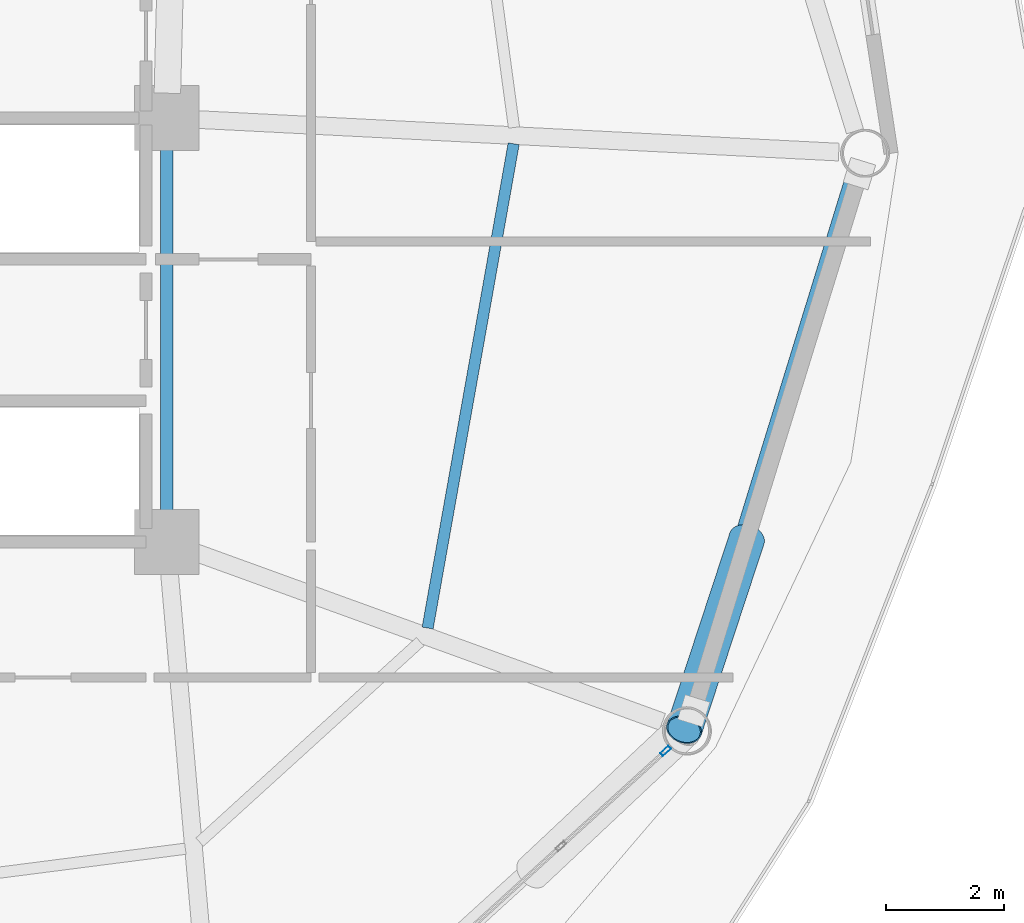
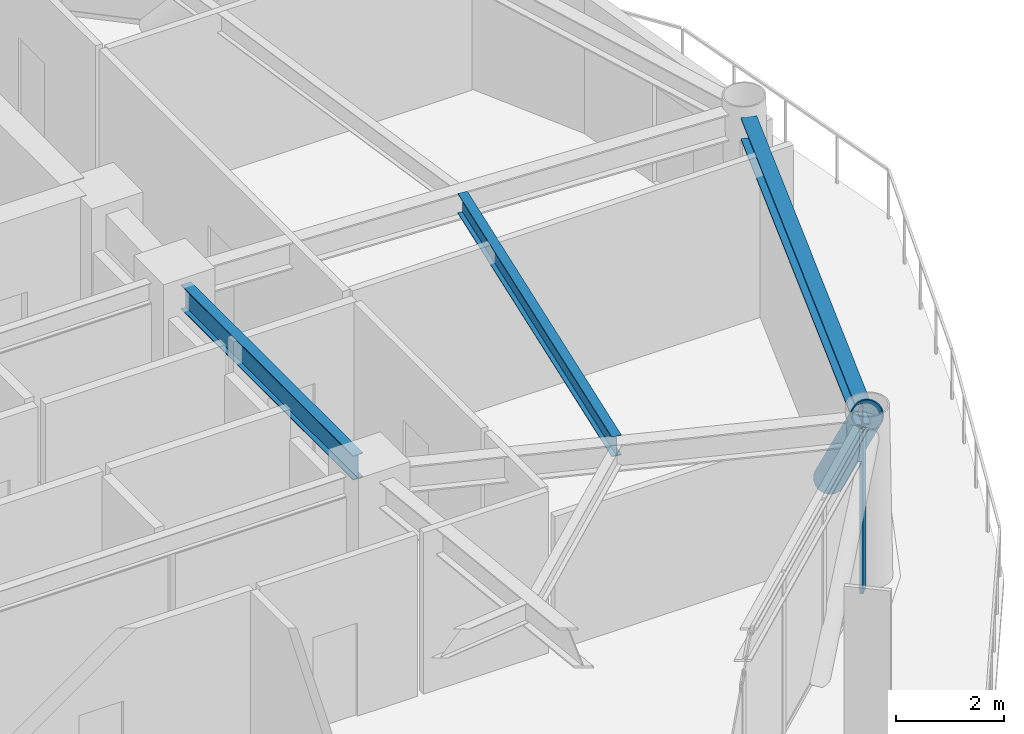
# One storey, part 13 of 26: 3 beams, 2 members, 1 element without a shape of its own.
"""IFC4 building model written with IfcOpenShell, lengths in metres."""

from ifc_helpers import new_model, si_unit, direction, frame, origin, origin_2d, place, context, subcontext, project, spatial, hollow_rectangle, hollow_circle, i_section, extrude, material, layer, layer_set, material_profile, profile_set, type_object, element, aggregate, save


model = new_model("IFC4")

# Units and contexts
model_context = context("Model", 3, precision=1e-05, world=origin(), true_north=direction((0.0, 1.0)))
body_context = subcontext(model_context, "Body", "Model", "MODEL_VIEW")
ifc_project = project(units=[si_unit("LENGTHUNIT", "METRE"), si_unit("AREAUNIT", "SQUARE_METRE"), si_unit("VOLUMEUNIT", "CUBIC_METRE"), si_unit("PLANEANGLEUNIT", "RADIAN"), si_unit("MASSUNIT", "GRAM", prefix="KILO")], contexts=[model_context])

# Site, building, storey
site_placement = place(None, origin())
site = spatial("IfcSite", under=ifc_project, at=site_placement, CompositionType="ELEMENT")
building_placement = place(site_placement, origin())
building = spatial("IfcBuilding", under=site, at=building_placement, Name="Varnakorn Sky Granary", CompositionType="ELEMENT")
storey_placement = place(building_placement, frame((0.0, 0.0, 95.39990234375)))
storey = spatial("IfcBuildingStorey", under=building, at=storey_placement, Name="L23", CompositionType="ELEMENT", Elevation=95.39990234375)

# Beams
ifc_material_1 = material(Name="Steel S355JR", Category="steel")
ifc_material_profile_1 = material_profile(ifc_material_1, i_section(OverallWidth=0.2099609375, OverallDepth=0.550048828125, WebThickness=0.010986328125, FlangeThickness=0.01708984375, at=origin_2d()), Name="IPE 550")
ifc_profile_set_1 = profile_set([ifc_material_profile_1], Name="Steel S355JR")
beam_type_1 = type_object("IfcBeamType", Name="BM-JST-550", PredefinedType="JOIST", material=ifc_profile_set_1)
beam_1_placement = place(storey_placement, frame((8.35009765625, 0.179931640625, 3.364990234375), z_axis=(0.0, -1.0, 0.0), x_axis=(1.0, 0.0, 0.0)))
element("IfcBeam", 1, at=beam_1_placement, inside=storey, type_object=beam_type_1, Name="Core Spine Framing Beam 4 L23", PredefinedType="JOIST", context=body_context, shape_type="SweptSolid", body=[
    extrude(i_section(OverallWidth=0.2099609375, OverallDepth=0.550048828125, WebThickness=0.010986328125, FlangeThickness=0.01708984375, at=origin_2d()), origin(), (0.0, 0.0, 1.0), 6.35986328125),
])
ifc_material_profile_2 = material_profile(ifc_material_1, i_section(OverallWidth=0.18994140625, OverallDepth=0.449951171875, WebThickness=0.009521484375, FlangeThickness=0.0146484375, at=origin_2d()), Name="IPE 450")
ifc_profile_set_2 = profile_set([ifc_material_profile_2], Name="Steel S355JR")
beam_type_2 = type_object("IfcBeamType", Name="BM-SEC-Z2", PredefinedType="BEAM", material=ifc_profile_set_2)
beam_2_placement = place(storey_placement, frame((12.779052734375, -8.06005859375, 3.4150390625), z_axis=(0.174924377555, 0.984581871729, 0.0), x_axis=(-0.984581871729, 0.174924377555, 0.0)))
element("IfcBeam", 2, at=beam_2_placement, inside=storey, type_object=beam_type_2, Name="Secondary Floor Chord Beam MSB12 L23", PredefinedType="BEAM", context=body_context, shape_type="SweptSolid", body=[
    extrude(i_section(OverallWidth=0.18994140625, OverallDepth=0.449951171875, WebThickness=0.009521484375, FlangeThickness=0.0146484375, at=origin_2d()), origin(), (0.0, 0.0, 1.0), 8.350341796875),
])
ifc_material_profile_3 = material_profile(ifc_material_1, i_section(OverallWidth=0.300048828125, OverallDepth=0.5, WebThickness=0.014404296875, FlangeThickness=0.028076171875, at=origin_2d()), Name="HE 500 B")
ifc_profile_set_3 = profile_set([ifc_material_profile_3], Name="Steel S355JR")
beam_type_3 = type_object("IfcBeamType", Name="BM-SPD-Z2", PredefinedType="SPANDREL", material=ifc_profile_set_3)
beam_3_placement = place(storey_placement, frame((17.247802734375, -9.411865234375, 3.39013671875), z_axis=(0.294664442498, 0.955600788158, 0.0), x_axis=(-0.955600788158, 0.294664442498, 0.0)))
element("IfcBeam", 3, at=beam_3_placement, inside=storey, type_object=beam_type_3, Name="Perimeter Spandrel Ring Beam RB12 L23", PredefinedType="SPANDREL", context=body_context, shape_type="SweptSolid", body=[
    extrude(i_section(OverallWidth=0.300048828125, OverallDepth=0.5, WebThickness=0.014404296875, FlangeThickness=0.028076171875, at=origin_2d()), origin(), (0.0, 0.0, 1.0), 9.457763671875),
])

# Curtain wall, member
ifc_material_2 = material(Name="Anodised Bronze Aluminium Alloy 6063-T6", Category="aluminium")
ifc_layer = layer(ifc_material_2, 0.18994140625, Name="Anodised Bronze Aluminium Alloy 6063-T6")
ifc_layer_set = layer_set([ifc_layer], Name="Anodised Bronze Aluminium Alloy 6063-T6")
curtain_wall_type = type_object("IfcCurtainWallType", Name="CW-FRM-1", PredefinedType="USERDEFINED", material=ifc_layer_set)
curtain_wall_placement = place(storey_placement, origin())
curtain_wall = element("IfcCurtainWall", 4, at=curtain_wall_placement, inside=storey, type_object=curtain_wall_type, Name="Unitised Curtain Wall CW3 CW-L23-B11", ObjectType="CURTAIN WALL", PredefinedType="USERDEFINED")
ifc_material_profile_4 = material_profile(ifc_material_2, hollow_rectangle(XDim=0.070068359375, YDim=0.18505859375, WallThickness=0.00390625, at=origin_2d()), Name="ALU MULL 70x185")
ifc_profile_set_4 = profile_set([ifc_material_profile_4], Name="Anodised Bronze Aluminium Alloy 6063-T6")
member_type_1 = type_object("IfcMemberType", Name="CW-FRM-1-MULL", PredefinedType="MULLION", material=ifc_profile_set_4)
member_1_placement = place(storey_placement, frame((16.819580078125, -10.1474609375, 0.0), z_axis=(0.0, 0.0, 1.0), x_axis=(0.67267177226, -0.739941002246, 0.0)))
member_1 = element("IfcMember", 5, at=member_1_placement, type_object=member_type_1, Name="CW3 mullion 1", PredefinedType="MULLION", context=body_context, shape_type="SweptSolid", body=[
    extrude(hollow_rectangle(XDim=0.070068359375, YDim=0.18505859375, WallThickness=0.00390625, at=origin_2d()), origin(), (0.0, 0.0, 1.0), 3.64013671875),
])
aggregate(curtain_wall, [member_1])

# Member
ifc_material_3 = material(Name="Steel S460M", Category="steel")
ifc_material_profile_5 = material_profile(ifc_material_3, hollow_circle(Radius=0.304931640625, WallThickness=0.022216796875, at=origin_2d()), Name="CHS 610x22")
ifc_profile_set_5 = profile_set([ifc_material_profile_5], Name="Steel S460M")
member_type_2 = type_object("IfcMemberType", Name="MB-DIAG-T1", PredefinedType="BRACE", material=ifc_profile_set_5)
member_2_placement = place(storey_placement, frame((18.199462890625, -6.5400390625, -0.1298828125), z_axis=(-0.20969200771, -0.637953144739, 0.740975739832), x_axis=(0.949996930273, -0.31225923921, 0.0)))
element("IfcMember", 6, at=member_2_placement, inside=storey, type_object=member_type_2, Name="Perimeter CHS Diagrid Brace DG12 L23", PredefinedType="BRACE", context=body_context, shape_type="SweptSolid", body=[
    extrude(hollow_circle(Radius=0.304931640625, WallThickness=0.022216796875, at=origin_2d()), origin(), (0.0, 0.0, 1.0), 5.087890625),
])

save(model, "model.ifc")
